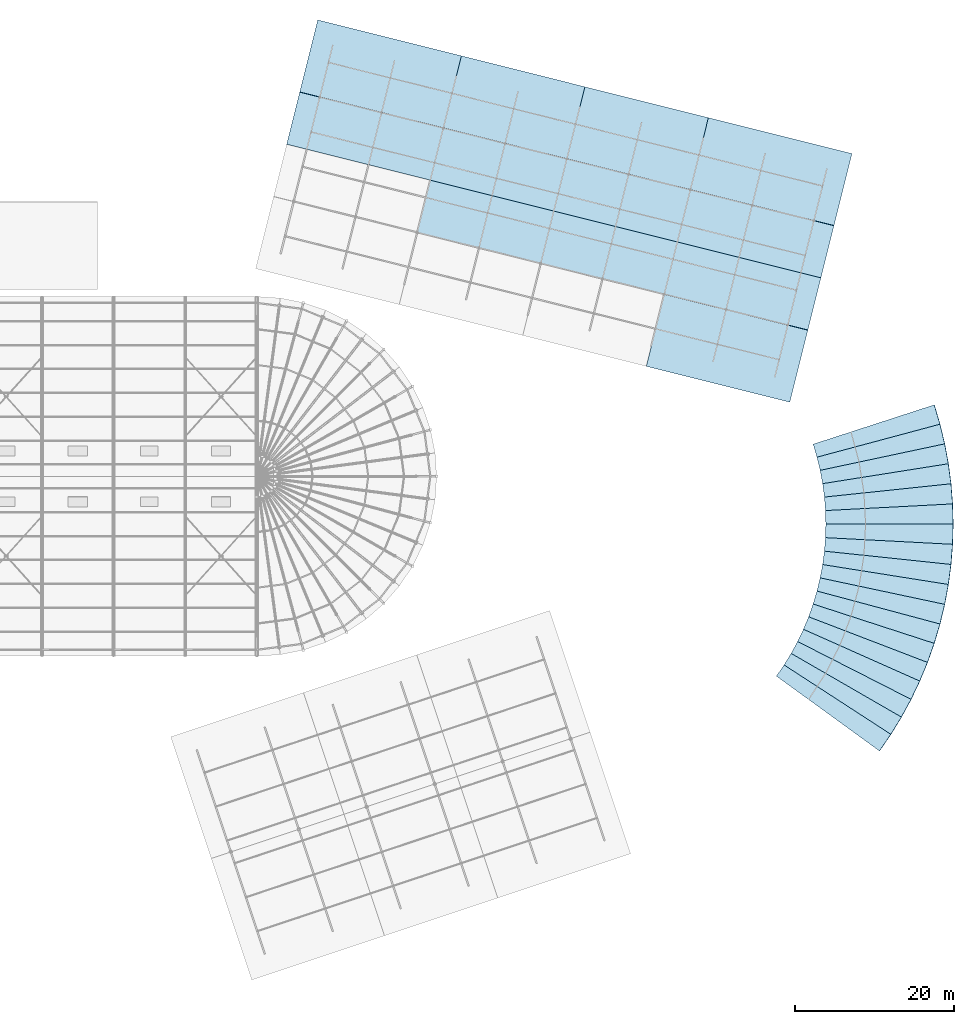
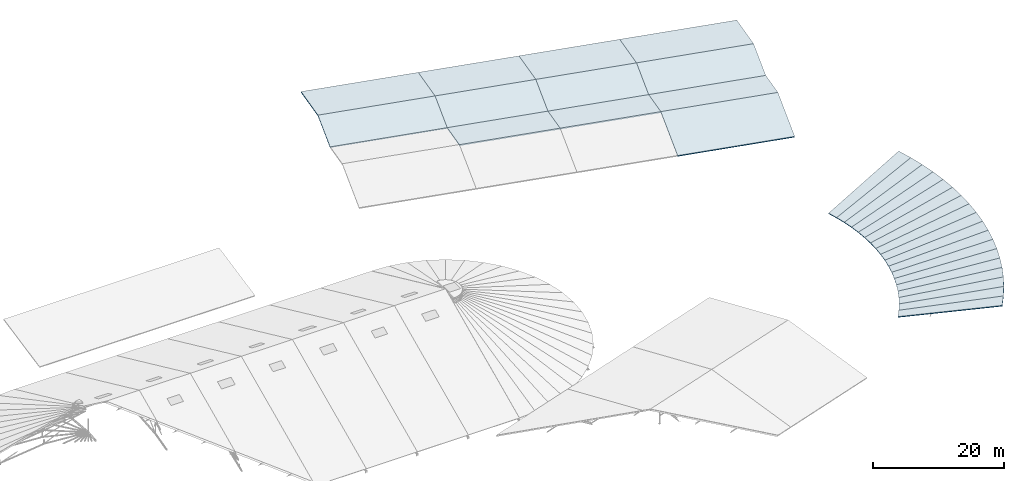
# One storey, part 84 of 107: 30 slabs.
"""IFC4 building model written with IfcOpenShell, lengths in metres."""

import ifcopenshell
import ifcopenshell.guid

model = None  # the IFC model being written
_history = None  # IfcOwnerHistory: only IFC2X3 demands one
_inside = {}  # id of a spatial element -> (the spatial element, [elements in it])
_under = {}  # id of a project, library or spatial element -> (it, [spatial elements below it])
_declared = {}  # id of a project -> (the project, [libraries it declares])
_typed = {}  # id of a type object -> (the type object, [elements of that type])
_made_of = {}  # id of a material, layer set ... -> (it, [elements and type objects made of it])


def new_model(schema):
    """Start an empty IFC model of exactly this schema.

    Asked for "IFC4X3", IfcOpenShell would pick the latest addendum, in which some entities
    have other attributes; the version numbers below select the first issue.
    IFC2X3 requires an IfcOwnerHistory on every rooted entity: one is made here for all.
    """
    global model, _history
    if schema == "IFC4X3":
        model = ifcopenshell.file(schema_version=(4, 3, 0, 0))
    else:
        model = ifcopenshell.file(schema=schema)
    _inside.clear()
    _under.clear()
    _declared.clear()
    _typed.clear()
    _made_of.clear()
    _history = None
    if model.schema == "IFC2X3":
        org = make("IfcOrganization", Name="unknown")
        user = make(
            "IfcPersonAndOrganization",
            ThePerson=make("IfcPerson", FamilyName="unknown"),
            TheOrganization=org,
        )
        app = make(
            "IfcApplication",
            ApplicationDeveloper=org,
            Version="unknown",
            ApplicationFullName="unknown",
            ApplicationIdentifier="unknown",
        )
        _history = make(
            "IfcOwnerHistory",
            OwningUser=user,
            OwningApplication=app,
            ChangeAction="ADDED",
            CreationDate=0,
        )
    return model


def make(cls, **values):
    """One entity of the class cls with the attributes given. An attribute that is None is left unset."""
    return model.create_entity(
        cls, **{name: value for name, value in values.items() if value is not None}
    )


def rooted(cls, **values):
    """An entity with a GlobalId (a new one), such as an element, a storey or a relation."""
    return make(cls, GlobalId=ifcopenshell.guid.new(), OwnerHistory=_history, **values)


def si_unit(unit_type, name, prefix=None):
    """IfcSIUnit, for example si_unit("LENGTHUNIT", "METRE", prefix="MILLI")."""
    return make("IfcSIUnit", UnitType=unit_type, Prefix=prefix, Name=name)


def derived_unit(unit_type, elements):
    """IfcDerivedUnit: a product of units, each with its exponent."""
    return make(
        "IfcDerivedUnit",
        Elements=[
            make("IfcDerivedUnitElement", Unit=unit, Exponent=power)
            for unit, power in elements
        ],
        UnitType=unit_type,
    )


def assignment(units):
    """IfcUnitAssignment: the units of a project."""
    return None if units is None else make("IfcUnitAssignment", Units=units)


def point(xyz):
    """IfcCartesianPoint."""
    return None if xyz is None else make("IfcCartesianPoint", Coordinates=xyz)


def direction(xyz):
    """IfcDirection."""
    return None if xyz is None else make("IfcDirection", DirectionRatios=xyz)


def frame(location, z_axis=None, x_axis=None):
    """IfcAxis2Placement3D, a coordinate frame: its origin and axes. An axis left out is left unset."""
    return make(
        "IfcAxis2Placement3D",
        Location=point(location),
        Axis=direction(z_axis),
        RefDirection=direction(x_axis),
    )


def origin():
    """The frame at (0, 0, 0) with its axes left unset."""
    return frame((0.0, 0.0, 0.0))


def place(relative_to, where):
    """IfcLocalPlacement: puts the frame where relative to a parent placement (None: the world)."""
    return make(
        "IfcLocalPlacement", PlacementRelTo=relative_to, RelativePlacement=where
    )


def context(
    kind, dimensions, precision=None, world=None, true_north=None, identifier=None
):
    """IfcGeometricRepresentationContext, for example the 3D "Model" context."""
    return make(
        "IfcGeometricRepresentationContext",
        ContextIdentifier=identifier,
        ContextType=kind,
        CoordinateSpaceDimension=dimensions,
        Precision=precision,
        WorldCoordinateSystem=world,
        TrueNorth=true_north,
    )


def subcontext(parent, identifier, kind, view, scale=None):
    """IfcGeometricRepresentationSubContext, for example "Body" below "Model"."""
    return make(
        "IfcGeometricRepresentationSubContext",
        ContextIdentifier=identifier,
        ContextType=kind,
        ParentContext=parent,
        TargetScale=scale,
        TargetView=view,
    )


def project(units=None, contexts=None):
    """IfcProject with its units and contexts."""
    return rooted(
        "IfcProject",
        Name="project",
        RepresentationContexts=contexts,
        UnitsInContext=assignment(units),
    )


def spatial(cls, under=None, at=None, **own):
    """A site, building, storey or space (cls), placed at a placement, below another one or the project."""
    s = rooted(cls, ObjectPlacement=at, **own)
    if under is not None:
        _under.setdefault(under.id(), (under, []))[1].append(s)
    return s


def polyline(points):
    """IfcPolyline through the points."""
    return make("IfcPolyline", Points=[point(p) for p in points])


def outline(outer, holes=None, kind="AREA"):
    """IfcArbitraryClosedProfileDef: a profile drawn as a closed curve; with holes, ...WithVoids."""
    if holes is None:
        return make("IfcArbitraryClosedProfileDef", ProfileType=kind, OuterCurve=outer)
    return make(
        "IfcArbitraryProfileDefWithVoids",
        ProfileType=kind,
        OuterCurve=outer,
        InnerCurves=holes,
    )


def extrude(swept, where, along, depth):
    """IfcExtrudedAreaSolid: the profile swept, set in the frame where, extruded along a direction by depth."""
    return make(
        "IfcExtrudedAreaSolid",
        SweptArea=swept,
        Position=where,
        ExtrudedDirection=direction(along),
        Depth=depth,
    )


def shape(context_of_items, identifier, shape_type, items):
    """IfcShapeRepresentation: the items that make up one representation, for example the "Body"."""
    return make(
        "IfcShapeRepresentation",
        ContextOfItems=context_of_items,
        RepresentationIdentifier=identifier,
        RepresentationType=shape_type,
        Items=items,
    )


def material(Name=None, Category=None):
    """IfcMaterial."""
    return make("IfcMaterial", Name=Name, Category=Category)


def layer(
    of_material, thickness, ventilated=None, Name=None, Category=None, Priority=None
):
    """IfcMaterialLayer: one layer of a wall or slab, of a material (None: an air gap)."""
    return make(
        "IfcMaterialLayer",
        Material=of_material,
        LayerThickness=thickness,
        IsVentilated=ventilated,
        Name=Name,
        Category=Category,
        Priority=Priority,
    )


def layer_set(layers, Name=None):
    """IfcMaterialLayerSet."""
    return make("IfcMaterialLayerSet", MaterialLayers=layers, LayerSetName=Name)


def made_of(thing, what):
    """Note that an element or type object is made of a material, layer set ...; save() writes the relation."""
    if what is not None:
        _made_of.setdefault(what.id(), (what, []))[1].append(thing)
    return thing


def type_object(cls, material=None, **own):
    """A type object (cls), such as IfcWallType, which elements share."""
    return made_of(rooted(cls, **own), material)


def element(
    cls,
    number,
    at=None,
    inside=None,
    cuts=None,
    type_object=None,
    material=None,
    context=None,
    identifier="Body",
    shape_type=None,
    held_by="IfcProductDefinitionShape",
    body=None,
    shapes=None,
    **own,
):
    """One element of the class cls, such as IfcWall. Its Tag is "e" and its number.

    at: its placement. inside: the storey or other place that contains it. cuts: it is an
    opening in that element (IfcRelVoidsElement). A single representation is given by context,
    identifier, shape_type and body (its items); several are given by shapes. held_by: the class
    of the entity that holds the representations. save() writes the other relations.
    """
    e = rooted(cls, Tag="e%d" % number, ObjectPlacement=at, **own)
    if body is not None:
        shapes = [shape(context, identifier, shape_type, body)]
    if shapes is not None:
        e.Representation = make(held_by, Representations=shapes)
    if inside is not None:
        _inside.setdefault(inside.id(), (inside, []))[1].append(e)
    if cuts is not None:
        rooted(
            "IfcRelVoidsElement", RelatingBuildingElement=cuts, RelatedOpeningElement=e
        )
    if type_object is not None:
        _typed.setdefault(type_object.id(), (type_object, []))[1].append(e)
    return made_of(e, material)


def aggregate(whole, parts):
    """IfcRelAggregates: a whole, such as a stair, and the parts it consists of."""
    return rooted("IfcRelAggregates", RelatingObject=whole, RelatedObjects=parts)


def save(model, path):
    """Write the relations noted so far, then the file.

    IfcRelAggregates (storeys below a building ...), IfcRelContainedInSpatialStructure (elements
    in a storey), IfcRelDefinesByType, IfcRelAssociatesMaterial and IfcRelDeclares: one each for
    every whole, place, type object, material and project.
    """
    for whole, parts in _under.values():
        aggregate(whole, parts)
    for where, things in _inside.values():
        rooted(
            "IfcRelContainedInSpatialStructure",
            RelatedElements=things,
            RelatingStructure=where,
        )
    for kind, things in _typed.values():
        rooted("IfcRelDefinesByType", RelatedObjects=things, RelatingType=kind)
    for what, things in _made_of.values():
        rooted("IfcRelAssociatesMaterial", RelatedObjects=things, RelatingMaterial=what)
    for by, libraries in _declared.values():
        rooted("IfcRelDeclares", RelatingContext=by, RelatedDefinitions=libraries)
    model.write(path)


model = new_model("IFC4")

# Units and contexts
model_context = context("Model", 3, precision=1e-05, world=origin(), true_north=direction((0.0, 1.0)))
body_context = subcontext(model_context, "Body", "Model", "MODEL_VIEW")
ifc_project = project(units=[si_unit("LENGTHUNIT", "METRE"), si_unit("AREAUNIT", "SQUARE_METRE"), si_unit("VOLUMEUNIT", "CUBIC_METRE"), si_unit("PLANEANGLEUNIT", "RADIAN"), si_unit("MASSUNIT", "GRAM", prefix="KILO"), si_unit("THERMODYNAMICTEMPERATUREUNIT", "KELVIN"), si_unit("TIMEUNIT", "SECOND"), derived_unit("THERMALTRANSMITTANCEUNIT", [(si_unit("MASSUNIT", "GRAM", prefix="KILO"), 1), (si_unit("THERMODYNAMICTEMPERATUREUNIT", "KELVIN"), -1), (si_unit("TIMEUNIT", "SECOND"), -3)])], contexts=[model_context])

# Site, building, storey
site_placement = place(None, origin())
site = spatial("IfcSite", under=ifc_project, at=site_placement, CompositionType="ELEMENT")
building_placement = place(site_placement, origin())
building = spatial("IfcBuilding", under=site, at=building_placement, Name="Cambertide Market Hall", CompositionType="ELEMENT")
storey_placement = place(building_placement, frame((0.0, 0.0, 18.300048828125)))
storey = spatial("IfcBuildingStorey", under=building, at=storey_placement, Name="RF", CompositionType="ELEMENT", Elevation=18.300048828125)

# Slabs
ifc_material_1 = material(Name="Concrete B30", Category="concrete")
ifc_layer_1 = layer(ifc_material_1, 0.18994140625, Name="Cooking School Folded Roof Deck 190")
ifc_layer_set_1 = layer_set([ifc_layer_1], Name="Concrete B30")
slab_type_1 = type_object("IfcSlabType", Name="Cooking School Folded Roof Deck 190", PredefinedType="ROOF", material=ifc_layer_set_1)
slab_1_placement = place(storey_placement, frame((108.751953125, 113.7275390625, 0.02001953125), z_axis=(-0.04835305924, -0.193414853823, 0.979924831802), x_axis=(0.970141789412, -0.242538467947, -1.243881e-06)))
element("IfcSlab", 1, at=slab_1_placement, inside=storey, type_object=slab_type_1, Name="RSLB-V4-F3-1", PredefinedType="ROOF", context=body_context, shape_type="SweptSolid", body=[
    extrude(outline(polyline([(0.0, 0.0), (18.600042873043865, 8.881784197001252e-16), (18.599843745951006, 6.888361770340129), (-0.00013991359970219136, 6.8881296741561275), (0.0, 0.0)])), origin(), (0.0, 0.0, -1.0), 0.18994140625),
])
slab_2_placement = place(storey_placement, frame((110.388916015625, 120.27587890625, 1.393310546875), z_axis=(0.048354217896, 0.193419488509, 0.979923859836), x_axis=(0.970144755048, -0.242526605245, -1.243913e-06)))
element("IfcSlab", 2, at=slab_2_placement, inside=storey, type_object=slab_type_1, Name="RSLB-V4-F4-1", PredefinedType="ROOF", context=body_context, shape_type="SweptSolid", body=[
    extrude(outline(polyline([(0.0, 0.0), (18.599983660998795, 0.0), (18.600191383398283, 9.541559429204858), (0.00014851180250196076, 9.541791525897512), (0.0, 0.0)])), origin(), (0.0, 0.0, -1.0), 0.18994140625),
])
slab_3_placement = place(storey_placement, frame((125.159423828125, 102.66796875, 1.393310546875), z_axis=(0.048354798087, 0.193416150211, 0.979924490121), x_axis=(0.97014160256, -0.242539215349, 0.0)))
element("IfcSlab", 3, at=slab_3_placement, inside=storey, type_object=slab_type_1, Name="RSLB-V4-F2-2", PredefinedType="ROOF", context=body_context, shape_type="SweptSolid", body=[
    extrude(outline(polyline([(0.0, 0.0), (15.999949652622403, 0.0), (16.000043098098296, 6.888187699045556), (9.34454758925174e-05, 6.888187699045556), (0.0, 0.0)])), origin(), (0.0, 0.0, -1.0), 0.18994140625),
])
slab_4_placement = place(storey_placement, frame((126.796630859375, 109.21630859375, 0.02001953125), z_axis=(-0.048353576145, -0.193411262519, 0.979925515131), x_axis=(0.97014160256, -0.242539215349, 0.0)))
element("IfcSlab", 4, at=slab_4_placement, inside=storey, type_object=slab_type_1, Name="RSLB-V4-F3-2", PredefinedType="ROOF", context=body_context, shape_type="SweptSolid", body=[
    extrude(outline(polyline([(0.0, 0.0), (15.999949652622403, -4.440892098500626e-16), (15.999747033445484, 6.88836177027876), (-0.00020261917691731976, 6.888361770278759), (0.0, 0.0)])), origin(), (0.0, 0.0, -1.0), 0.18994140625),
])
slab_5_placement = place(storey_placement, frame((128.43359375, 115.764892578125, 1.393310546875), z_axis=(0.048356137566, 0.193421508042, 0.979923366487), x_axis=(0.97014160256, -0.242539215349, 0.0)))
element("IfcSlab", 5, at=slab_5_placement, inside=storey, type_object=slab_type_1, Name="RSLB-V4-F4-2", PredefinedType="ROOF", context=body_context, shape_type="SweptSolid", body=[
    extrude(outline(polyline([(0.0, 0.0), (15.999949652622403, 0.0), (16.000033475643175, 9.541559431126963), (8.382302077246479e-05, 9.541559431126963), (0.0, 0.0)])), origin(), (0.0, 0.0, -1.0), 0.18994140625),
])
slab_6_placement = place(storey_placement, frame((140.681640625, 98.787353515625, 1.393310546875), z_axis=(0.048352551881, 0.193413249617, 0.979925173469), x_axis=(0.970141673912, -0.242538929943, 1.446008e-06)))
element("IfcSlab", 6, at=slab_6_placement, inside=storey, type_object=slab_type_1, Name="RSLB-V4-F2-3", PredefinedType="ROOF", context=body_context, shape_type="SweptSolid", body=[
    extrude(outline(polyline([(0.0, 0.0), (15.999949652604982, -4.440892098500626e-16), (15.999983884440093, 6.88841979524), (9.34454410532592e-05, 6.888187699005093), (0.0, 0.0)])), origin(), (0.0, 0.0, -1.0), 0.18994140625),
])
slab_7_placement = place(storey_placement, frame((142.31884765625, 105.335693359375, 0.02001953125), z_axis=(-0.048352397642, -0.193414153694, 0.979925002637), x_axis=(0.970145139318, -0.242525068097, 1.084523e-06)))
element("IfcSlab", 7, at=slab_7_placement, inside=storey, type_object=slab_type_1, Name="RSLB-V4-F3-3", PredefinedType="ROOF", context=body_context, shape_type="SweptSolid", body=[
    extrude(outline(polyline([(0.0, 0.0), (15.999890440690066, 4.440892098500626e-16), (16.000083806951963, 6.888187696942532), (-0.00010269580046045728, 6.888361772470464), (0.0, 0.0)])), origin(), (0.0, 0.0, -1.0), 0.18994140625),
])
slab_8_placement = place(storey_placement, frame((143.955810546875, 111.88427734375, 1.393310546875), z_axis=(0.048355926688, 0.193422185647, 0.979923243144), x_axis=(0.970142482306, -0.242535696394, -3.61515e-07)))
element("IfcSlab", 8, at=slab_8_placement, inside=storey, type_object=slab_type_1, Name="RSLB-V4-F4-3", PredefinedType="ROOF", context=body_context, shape_type="SweptSolid", body=[
    extrude(outline(polyline([(0.0, 0.0), (16.000186503708072, 0.0), (16.000068078112086, 9.541501406760297), (0.00011842559598476358, 9.541559430758408), (0.0, 0.0)])), origin(), (0.0, 0.0, -1.0), 0.18994140625),
])
slab_9_placement = place(storey_placement, frame((153.936279296875, 85.8359375, -0.509033203125), z_axis=(-0.04835633157, -0.193422709314, 0.9799231198), x_axis=(0.970141728034, -0.242538713461, 0.0)))
element("IfcSlab", 9, at=slab_9_placement, inside=storey, type_object=slab_type_1, Name="RSLB-V4-F1-4", PredefinedType="ROOF", context=body_context, shape_type="SweptSolid", body=[
    extrude(outline(polyline([(0.0, 0.0), (18.60004287305885, 0.0), (18.599894682153497, 9.541501406346258), (-0.00014819090535445056, 9.54150140634626), (0.0, 0.0)])), origin(), (0.0, 0.0, -1.0), 0.18994140625),
])
slab_10_placement = place(storey_placement, frame((156.203857421875, 94.90673828125, 1.393310546875), z_axis=(0.048353068779, 0.193409658324, 0.979925856791), x_axis=(0.970141728034, -0.242538713461, 0.0)))
element("IfcSlab", 10, at=slab_10_placement, inside=storey, type_object=slab_type_1, Name="RSLB-V4-F2-4", PredefinedType="ROOF", context=body_context, shape_type="SweptSolid", body=[
    extrude(outline(polyline([(0.0, 0.0), (18.60004287305885, 0.0), (18.600080596943847, 6.888419795262225), (3.772388499778678e-05, 6.888419795262224), (0.0, 0.0)])), origin(), (0.0, 0.0, -1.0), 0.18994140625),
])
slab_11_placement = place(storey_placement, frame((157.841064453125, 101.455322265625, 0.02001953125), z_axis=(-0.048354698027, -0.193416175228, 0.979924490121), x_axis=(0.970141728034, -0.242538713461, 0.0)))
element("IfcSlab", 11, at=slab_11_placement, inside=storey, type_object=slab_type_1, Name="RSLB-V4-F3-4", PredefinedType="ROOF", context=body_context, shape_type="SweptSolid", body=[
    extrude(outline(polyline([(0.0, 0.0), (18.60004287305885, 0.0), (18.600139810496938, 6.8881876989972985), (9.693743808880662e-05, 6.8881876989972985), (0.0, 0.0)])), origin(), (0.0, 0.0, -1.0), 0.18994140625),
])
slab_12_placement = place(storey_placement, frame((159.478271484375, 108.003662109375, 1.393310546875), z_axis=(0.04835633157, 0.193422709314, 0.9799231198), x_axis=(0.970141728034, -0.242538713461, 0.0)))
element("IfcSlab", 12, at=slab_12_placement, inside=storey, type_object=slab_type_1, Name="RSLB-V4-F4-4", PredefinedType="ROOF", context=body_context, shape_type="SweptSolid", body=[
    extrude(outline(polyline([(0.0, 0.0), (18.60004287305885, 0.0), (18.599894682153497, 9.541501406346258), (-0.00014819090535445056, 9.54150140634626), (0.0, 0.0)])), origin(), (0.0, 0.0, -1.0), 0.18994140625),
])
ifc_material_2 = material(Name="Concrete B30", Category="concrete")
ifc_layer_2 = layer(ifc_material_2, 0.155029296875, Name="Promenade Curved Canopy Roof Deck 155")
ifc_layer_set_2 = layer_set([ifc_layer_2], Name="Concrete B30")
slab_type_2 = type_object("IfcSlabType", Name="Promenade Curved Canopy Roof Deck 155", PredefinedType="ROOF", material=ifc_layer_set_2)
slab_13_placement = place(storey_placement, frame((170.29296875, 46.89697265625, -12.650146484375), z_axis=(-0.164361409943, 0.112969047323, 0.979909853644), x_axis=(0.566431284907, 0.82410897306, 6.52148e-07)))
element("IfcSlab", 13, at=slab_13_placement, inside=storey, type_object=slab_type_2, Name="RSLB-V5-01", PredefinedType="ROOF", context=body_context, shape_type="SweptSolid", body=[
    extrude(outline(polyline([(0.0, 0.0), (1.7016485971850768, 1.1102230246251565e-16), (2.1208443305106965, -16.32247678114434), (-0.4182876781527038, -16.322490647991025), (0.0, 0.0)])), origin(), (0.0, 0.0, -1.0), 0.155029296875),
])
slab_14_placement = place(storey_placement, frame((171.2568359375, 48.29931640625, -12.650146484375), z_axis=(-0.170054367218, 0.104202794227, 0.97990983762), x_axis=(0.522471326, 0.852656855662, -7.10417e-07)))
element("IfcSlab", 14, at=slab_14_placement, inside=storey, type_object=slab_type_2, Name="RSLB-V5-02", PredefinedType="ROOF", context=body_context, shape_type="SweptSolid", body=[
    extrude(outline(polyline([(0.0, 0.0), (1.7013684409934606, 3.3306690738754696e-16), (2.1197066390965884, -16.322484823345143), (-0.4194706513072287, -16.32246971835224), (0.0, 0.0)])), origin(), (0.0, 0.0, -1.0), 0.155029296875),
])
slab_15_placement = place(storey_placement, frame((172.145751953125, 49.75, -12.650146484375), z_axis=(-0.175268459604, 0.095171979145, 0.979909823123), x_axis=(0.477202312692, 0.878793464221, 2.04204e-06)))
element("IfcSlab", 15, at=slab_15_placement, inside=storey, type_object=slab_type_2, Name="RSLB-V5-03", PredefinedType="ROOF", context=body_context, shape_type="SweptSolid", body=[
    extrude(outline(polyline([(0.0, 0.0), (1.7016076319253273, -1.1102230246251565e-16), (2.121177927982285, -16.322449725912655), (-0.4180133173469952, -16.322493146662193), (0.0, 0.0)])), origin(), (0.0, 0.0, -1.0), 0.155029296875),
])
slab_16_placement = place(storey_placement, frame((172.957763671875, 51.245361328125, -12.650146484375), z_axis=(-0.180015282037, 0.085856622045, 0.97990976048), x_axis=(0.430490311589, 0.902595198096, 1.081807e-06)))
element("IfcSlab", 16, at=slab_16_placement, inside=storey, type_object=slab_type_2, Name="RSLB-V5-04", PredefinedType="ROOF", context=body_context, shape_type="SweptSolid", body=[
    extrude(outline(polyline([(0.0, 0.0), (1.7013659010727291, 0.0), (2.1197965112296533, -16.32243475615897), (-0.4192577489060091, -16.322457756976142), (0.0, 0.0)])), origin(), (0.0, 0.0, -1.0), 0.155029296875),
])
slab_17_placement = place(storey_placement, frame((173.690185546875, 52.781005859375, -12.650146484375), z_axis=(-0.184261344366, 0.076320111914, 0.979909688435), x_axis=(0.382668602889, 0.923885674942, -2.7444e-08)))
element("IfcSlab", 17, at=slab_17_placement, inside=storey, type_object=slab_type_2, Name="RSLB-V5-05", PredefinedType="ROOF", context=body_context, shape_type="SweptSolid", body=[
    extrude(outline(polyline([(0.0, 0.0), (1.70153247677156, 1.1102230246251565e-16), (2.120095416934495, -16.32241757629781), (-0.4191229644169736, -16.32241699275216), (0.0, 0.0)])), origin(), (0.0, 0.0, -1.0), 0.155029296875),
])
slab_18_placement = place(storey_placement, frame((174.34130859375, 54.35302734375, -12.650146484375), z_axis=(-0.188000017375, 0.066581904285, 0.979909609856), x_axis=(0.333862189361, 0.942621895827, 4.629566e-06)))
element("IfcSlab", 18, at=slab_18_placement, inside=storey, type_object=slab_type_2, Name="RSLB-V5-06", PredefinedType="ROOF", context=body_context, shape_type="SweptSolid", body=[
    extrude(outline(polyline([(0.0, 0.0), (1.7016413989820502, 2.220446049250313e-16), (2.121330274679946, -16.322336450503578), (-0.4178871540689149, -16.322434891777426), (0.0, 0.0)])), origin(), (0.0, 0.0, -1.0), 0.155029296875),
])
slab_19_placement = place(storey_placement, frame((174.909423828125, 55.95703125, -12.650146484375), z_axis=(-0.191229201918, 0.056643067915, 0.979909666852), x_axis=(0.283977229698, 0.958831024201, -6.522872e-06)))
element("IfcSlab", 19, at=slab_19_placement, inside=storey, type_object=slab_type_2, Name="RSLB-V5-07", PredefinedType="ROOF", context=body_context, shape_type="SweptSolid", body=[
    extrude(outline(polyline([(0.0, 0.0), (1.7013915628134744, 1.1102230246251565e-16), (2.119563379981402, -16.322477936329364), (-0.41958010387140804, -16.322339246939876), (0.0, 0.0)])), origin(), (0.0, 0.0, -1.0), 0.155029296875),
])
slab_20_placement = place(storey_placement, frame((175.392578125, 57.58837890625, -12.650146484375), z_axis=(-0.193930301384, 0.046559347076, 0.979909825139), x_axis=(0.233443723708, 0.97237031416, -1.138113e-06)))
element("IfcSlab", 20, at=slab_20_placement, inside=storey, type_object=slab_type_2, Name="RSLB-V5-08", PredefinedType="ROOF", context=body_context, shape_type="SweptSolid", body=[
    extrude(outline(polyline([(0.0, 0.0), (1.7015543353361173, 0.0), (2.1202905141059203, -16.32248435382548), (-0.4188653326385484, -16.322460154151713), (0.0, 0.0)])), origin(), (0.0, 0.0, -1.0), 0.155029296875),
])
slab_21_placement = place(storey_placement, frame((175.789794921875, 59.242919921875, -12.650146484375), z_axis=(-0.196102225935, 0.036342870657, 0.97990974724), x_axis=(0.182242613069, 0.983253593925, 4.004344e-06)))
element("IfcSlab", 21, at=slab_21_placement, inside=storey, type_object=slab_type_2, Name="RSLB-V5-09", PredefinedType="ROOF", context=body_context, shape_type="SweptSolid", body=[
    extrude(outline(polyline([(0.0, 0.0), (1.7013431992600974, 0.0), (2.120317723278811, -16.32239836213025), (-0.41876943571515024, -16.322483500618244), (0.0, 0.0)])), origin(), (0.0, 0.0, -1.0), 0.155029296875),
])
slab_22_placement = place(storey_placement, frame((176.099853515625, 60.915771484375, -12.650146484375), z_axis=(-0.197734473681, 0.026040052625, 0.979909686439), x_axis=(0.130565811291, 0.991439644619, 2.25996e-07)))
element("IfcSlab", 22, at=slab_22_placement, inside=storey, type_object=slab_type_2, Name="RSLB-V5-10", PredefinedType="ROOF", context=body_context, shape_type="SweptSolid", body=[
    extrude(outline(polyline([(0.0, 0.0), (1.7015778399879848, -5.551115123125783e-17), (2.121140664764529, -16.32241407833979), (-0.41817427347823105, -16.322418883881706), (0.0, 0.0)])), origin(), (0.0, 0.0, -1.0), 0.155029296875),
])
slab_23_placement = place(storey_placement, frame((176.322021484375, 62.602783203125, -12.650146484375), z_axis=(-0.198826747645, 0.015650315144, 0.979909685663), x_axis=(0.078484274645, 0.996915351786, 2.789687e-06)))
element("IfcSlab", 23, at=slab_23_placement, inside=storey, type_object=slab_type_2, Name="RSLB-V5-11", PredefinedType="ROOF", context=body_context, shape_type="SweptSolid", body=[
    extrude(outline(polyline([(0.0, 0.0), (1.7015377837980161, 0.0), (2.1207514994958254, -16.322386507539612), (-0.41832602380072953, -16.32244582305321), (0.0, 0.0)])), origin(), (0.0, 0.0, -1.0), 0.155029296875),
])
slab_24_placement = place(storey_placement, frame((176.45556640625, 64.299072265625, -12.650146484375), z_axis=(-0.19937359, 0.005212831713, 0.979909688694), x_axis=(0.026115152947, 0.999658941223, -4.471876e-06)))
element("IfcSlab", 24, at=slab_24_placement, inside=storey, type_object=slab_type_2, Name="RSLB-V5-12", PredefinedType="ROOF", context=body_context, shape_type="SweptSolid", body=[
    extrude(outline(polyline([(0.0, 0.0), (1.701508008138462, 0.0), (2.1193358976692886, -16.32246491228249), (-0.4198626700783547, -16.322369827300758), (0.0, 0.0)])), origin(), (0.0, 0.0, -1.0), 0.155029296875),
])
slab_25_placement = place(storey_placement, frame((176.5, 66.0, -12.650146484375), z_axis=(-0.19937359, -0.005212831713, 0.979909688694), x_axis=(-0.026115152947, 0.999658941223, 4.471876e-06)))
element("IfcSlab", 25, at=slab_25_placement, inside=storey, type_object=slab_type_2, Name="RSLB-V5-13", PredefinedType="ROOF", context=body_context, shape_type="SweptSolid", body=[
    extrude(outline(polyline([(0.0, 0.0), (1.701508008138462, 0.0), (2.121370678216817, -16.322369827300758), (-0.4178278895308267, -16.32246491228249), (0.0, 0.0)])), origin(), (0.0, 0.0, -1.0), 0.155029296875),
])
slab_26_placement = place(storey_placement, frame((176.45556640625, 67.700927734375, -12.650146484375), z_axis=(-0.198826747645, -0.015650315144, 0.979909685663), x_axis=(-0.078484274645, 0.996915351786, -2.789687e-06)))
element("IfcSlab", 26, at=slab_26_placement, inside=storey, type_object=slab_type_2, Name="RSLB-V5-14", PredefinedType="ROOF", context=body_context, shape_type="SweptSolid", body=[
    extrude(outline(polyline([(0.0, 0.0), (1.7015377837980161, 0.0), (2.1198638075987453, -16.32244582305321), (-0.4192137156978096, -16.322386507539612), (0.0, 0.0)])), origin(), (0.0, 0.0, -1.0), 0.155029296875),
])
slab_27_placement = place(storey_placement, frame((176.322021484375, 69.397216796875, -12.650146484375), z_axis=(-0.197734473681, -0.026040052625, 0.979909686439), x_axis=(-0.130565811291, 0.991439644619, -2.25996e-07)))
element("IfcSlab", 27, at=slab_27_placement, inside=storey, type_object=slab_type_2, Name="RSLB-V5-15", PredefinedType="ROOF", context=body_context, shape_type="SweptSolid", body=[
    extrude(outline(polyline([(0.0, 0.0), (1.7015778399879848, 5.551115123125783e-17), (2.1197521134662165, -16.322418883881706), (-0.4195628247765439, -16.32241407833979), (0.0, 0.0)])), origin(), (0.0, 0.0, -1.0), 0.155029296875),
])
slab_28_placement = place(storey_placement, frame((176.099853515625, 71.084228515625, -12.650146484375), z_axis=(-0.196102225935, -0.036342870657, 0.97990974724), x_axis=(-0.182242613069, 0.983253593925, -4.004344e-06)))
element("IfcSlab", 28, at=slab_28_placement, inside=storey, type_object=slab_type_2, Name="RSLB-V5-16", PredefinedType="ROOF", context=body_context, shape_type="SweptSolid", body=[
    extrude(outline(polyline([(0.0, 0.0), (1.7013431992600974, 0.0), (2.120112634975248, -16.32248350061824), (-0.4189745240187134, -16.322398362130247), (0.0, 0.0)])), origin(), (0.0, 0.0, -1.0), 0.155029296875),
])
slab_29_placement = place(storey_placement, frame((175.789794921875, 72.757080078125, -12.650146484375), z_axis=(-0.193930301384, -0.046559347076, 0.979909825139), x_axis=(-0.233443723708, 0.97237031416, 1.138113e-06)))
element("IfcSlab", 29, at=slab_29_placement, inside=storey, type_object=slab_type_2, Name="RSLB-V5-17", PredefinedType="ROOF", context=body_context, shape_type="SweptSolid", body=[
    extrude(outline(polyline([(0.0, 0.0), (1.7015543353361173, 0.0), (2.120419667974666, -16.32246015415171), (-0.4187361787698035, -16.32248435382548), (0.0, 0.0)])), origin(), (0.0, 0.0, -1.0), 0.155029296875),
])
slab_30_placement = place(storey_placement, frame((175.392578125, 74.41162109375, -12.650146484375), z_axis=(-0.191229201918, -0.056643067915, 0.979909666852), x_axis=(-0.283977229698, 0.958831024201, 6.522872e-06)))
element("IfcSlab", 30, at=slab_30_placement, inside=storey, type_object=slab_type_2, Name="RSLB-V5-18", PredefinedType="ROOF", context=body_context, shape_type="SweptSolid", body=[
    extrude(outline(polyline([(0.0, 0.0), (1.7013915628134744, -1.1102230246251565e-16), (2.1209716666848824, -16.322339246939876), (-0.41817181716792823, -16.32247793632936), (0.0, 0.0)])), origin(), (0.0, 0.0, -1.0), 0.155029296875),
])

save(model, "model.ifc")
